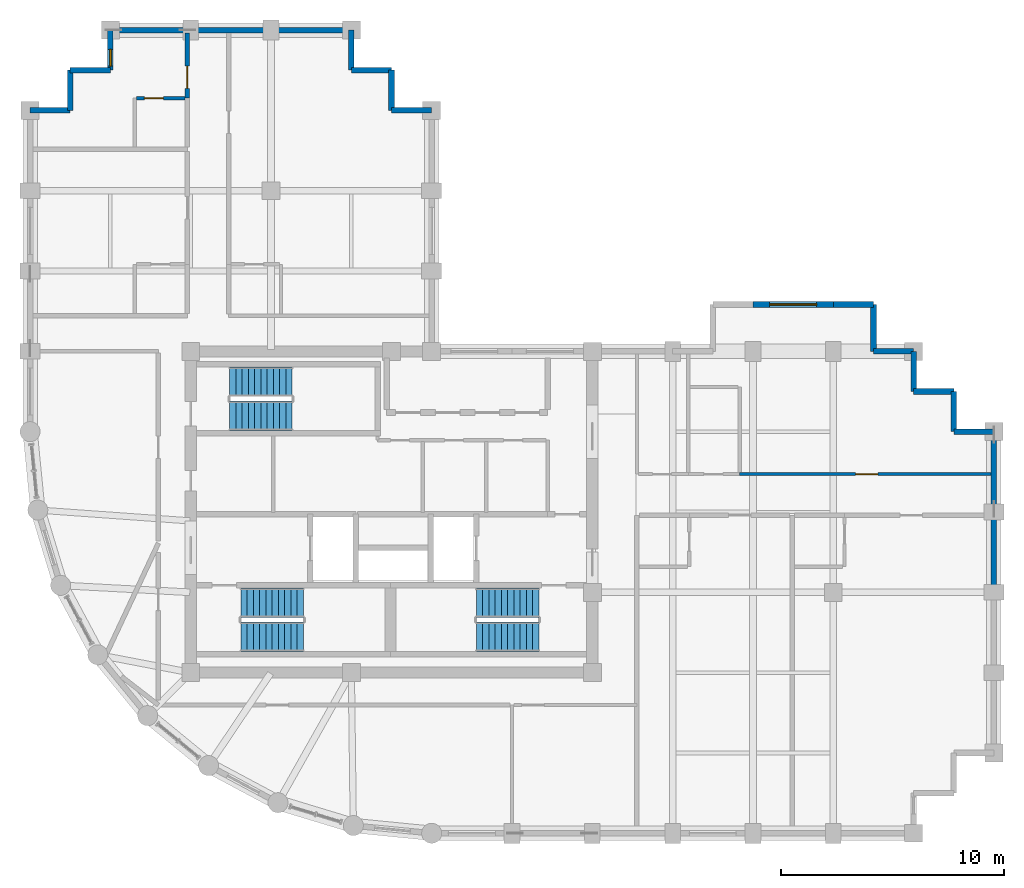
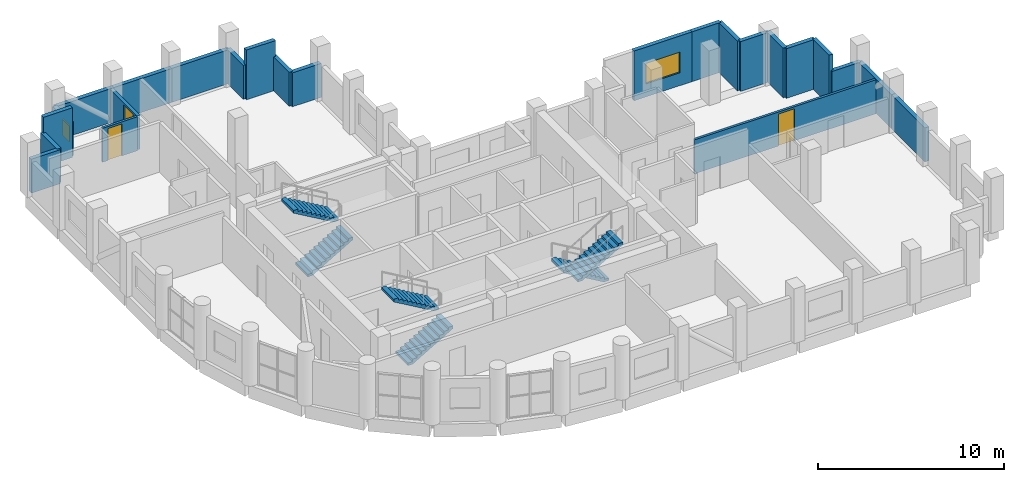
# One storey, part 10 of 11: 24 walls, 6 stair flights, 3 doors, 2 windows, 5 openings, 3 elements without a shape of their own.
"""IFC4 building model written with IfcOpenShell, lengths in metres."""

from ifc_helpers import new_model, si_unit, direction, frame, frame_2d, origin, place, context, subcontext, project, spatial, polyline, rectangle, outline, extrude, material, layer, layer_set, type_object, element, fill, aggregate, save


model = new_model("IFC4")

# Units and contexts
model_context = context("Model", 3, precision=1e-05, world=origin(), true_north=direction((0.0, 1.0)))
body_context = subcontext(model_context, "Body", "Model", "MODEL_VIEW")
ifc_project = project(units=[si_unit("LENGTHUNIT", "METRE"), si_unit("AREAUNIT", "SQUARE_METRE"), si_unit("VOLUMEUNIT", "CUBIC_METRE"), si_unit("PLANEANGLEUNIT", "RADIAN"), si_unit("MASSUNIT", "GRAM", prefix="KILO")], contexts=[model_context])

# Site, building, storey
site_placement = place(None, origin())
site = spatial("IfcSite", under=ifc_project, at=site_placement, CompositionType="ELEMENT")
building_placement = place(site_placement, origin())
building = spatial("IfcBuilding", under=site, at=building_placement, Name="Solnavia Interchange Tower", CompositionType="ELEMENT")
storey_placement = place(building_placement, frame((0.0, 0.0, 217.39990234375)))
storey = spatial("IfcBuildingStorey", under=building, at=storey_placement, Name="L54", CompositionType="ELEMENT", Elevation=217.39990234375)

# Wall, opening, door
ifc_material_1 = material(Name="Gypsum Acoustic Twin-Stud & Mineral Wool", Category="gypsum")
ifc_layer_1 = layer(ifc_material_1, 0.199951171875)
ifc_layer_set_1 = layer_set([ifc_layer_1], Name="Gypsum Acoustic Twin-Stud & Mineral Wool")
wall_type_1 = type_object("IfcWallType", Name="Wall-ApartmentParty-200", PredefinedType="PARTITIONING", material=ifc_layer_set_1)
wall_1_placement = place(storey_placement, frame((14.25, 36.550048828125, 0.0), z_axis=(0.0, 0.0, 1.0), x_axis=(0.0, 1.0, 0.0)))
wall_1 = element("IfcWall", 1, at=wall_1_placement, inside=storey, type_object=wall_type_1, Name="PTW-L54-33 Interior partition wall", PredefinedType="PARTITIONING", context=body_context, shape_type="SweptSolid", body=[
    extrude(rectangle(XDim=2.9208984375, YDim=0.199951171875, at=frame_2d((1.46044921875, 0.0))), origin(), (0.0, 0.0, 1.0), 2.22998046875),
])
opening_1_placement = place(wall_1_placement, frame((0.43798828125, 0.0, 0.0)))
opening_1 = element("IfcOpeningElement", 2, at=opening_1_placement, cuts=wall_1, Name="Opening DR-06", PredefinedType="OPENING", context=body_context, shape_type="SweptSolid", body=[
    extrude(rectangle(XDim=1.0, YDim=2.10009765625, at=frame_2d((0.5, 1.050048828125))), frame((0.0, 0.10986328125, 0.0), z_axis=(0.0, -1.0, 0.0), x_axis=(1.0, 0.0, 0.0)), (0.0, 0.0, 1.0), 0.219970703125),
])
ifc_material_2 = material(Name="Engineered Timber Acoustic Fire Door", Category="wood")
door_type_1 = type_object("IfcDoorType", Name="Door-FlatEntry-1000x2100", OperationType="SINGLE_SWING_LEFT", PredefinedType="DOOR", material=ifc_material_2)
door_1_placement = place(opening_1_placement, origin())
door_1 = element("IfcDoor", 3, at=door_1_placement, inside=storey, type_object=door_type_1, Name="DR-L54-14 Interior room door", OperationType="SINGLE_SWING_RIGHT", OverallHeight=2.10009765625, OverallWidth=1.0, PredefinedType="DOOR", context=body_context, shape_type="SweptSolid", body=[
    extrude(rectangle(XDim=1.0, YDim=2.10009765625, at=frame_2d((0.5, 1.050048828125))), frame((0.0, 0.02490234375, 0.0), z_axis=(0.0, -1.0, 0.0), x_axis=(1.0, 0.0, 0.0)), (0.0, 0.0, 1.0), 0.050048828125),
])
fill(opening_1, door_1)

# Walls
ifc_material_3 = material(Name="Concrete C40/50", Category="concrete")
ifc_layer_2 = layer(ifc_material_3, 0.25)
ifc_layer_set_2 = layer_set([ifc_layer_2], Name="Concrete C40/50")
wall_type_2 = type_object("IfcWallType", Name="Wall-ExtSpandrel-250", PredefinedType="STANDARD", material=ifc_layer_set_2)
for number, where, z_axis, x_axis, name in (
    (4, (50.39990234375, 18.0, 0.0), (0.0, 0.0, 1.0), (0.0, -1.0, 0.0), "EXW-L54-13 Exterior precast spandrel wall"),
    (5, (50.39990234375, 21.60009765625, 0.0), (0.0, 0.0, 1.0), (0.0, -1.0, 0.0), "EXW-L54-14 Exterior precast spandrel wall"),
):
    element("IfcWall", number, at=place(storey_placement, frame(where, z_axis=z_axis, x_axis=x_axis)), inside=storey, type_object=wall_type_2, Name=name, PredefinedType="STANDARD", context=body_context, shape_type="SweptSolid", body=[
        extrude(rectangle(XDim=3.60009765625, YDim=0.25, at=frame_2d((1.800048828125, 0.0))), origin(), (0.0, 0.0, 1.0), 2.22998046875),
    ])
wall_2_placement = place(storey_placement, frame((48.60009765625, 21.60009765625, 0.0), z_axis=(0.0, 0.0, 1.0), x_axis=(1.0, 0.0, 0.0)))
element("IfcWall", 6, at=wall_2_placement, inside=storey, type_object=wall_type_2, Name="EXW-L54-15 Exterior precast spandrel wall", PredefinedType="STANDARD", context=body_context, shape_type="SweptSolid", body=[
    extrude(rectangle(XDim=1.7998046875, YDim=0.25, at=frame_2d((0.89990234375, 0.0))), origin(), (0.0, 0.0, 1.0), 2.22998046875),
])
wall_3_placement = place(storey_placement, frame((48.60009765625, 23.39990234375, 0.0), z_axis=(0.0, 0.0, 1.0), x_axis=(0.0, -1.0, 0.0)))
element("IfcWall", 7, at=wall_3_placement, inside=storey, type_object=wall_type_2, Name="EXW-L54-16 Exterior precast spandrel wall", PredefinedType="STANDARD", context=body_context, shape_type="SweptSolid", body=[
    extrude(rectangle(XDim=1.7998046875, YDim=0.25, at=frame_2d((0.89990234375, 0.0))), origin(), (0.0, 0.0, 1.0), 3.26513671875),
])
for number, where, z_axis, x_axis, name in (
    (8, (46.800048828125, 23.39990234375, 0.0), (0.0, 0.0, 1.0), (1.0, 0.0, 0.0), "EXW-L54-17 Exterior precast spandrel wall"),
    (9, (46.800048828125, 25.199951171875, 0.0), (0.0, 0.0, 1.0), (0.0, -1.0, 0.0), "EXW-L54-18 Exterior precast spandrel wall"),
    (10, (45.0, 25.199951171875, 0.0), (0.0, 0.0, 1.0), (1.0, 0.0, 0.0), "EXW-L54-19 Exterior precast spandrel wall"),
):
    element("IfcWall", number, at=place(storey_placement, frame(where, z_axis=z_axis, x_axis=x_axis)), inside=storey, type_object=wall_type_2, Name=name, PredefinedType="STANDARD", context=body_context, shape_type="SweptSolid", body=[
        extrude(rectangle(XDim=1.800048828125, YDim=0.25, at=frame_2d((0.89990234375, 0.0))), origin(), (0.0, 0.0, 1.0), 3.26513671875),
    ])
wall_4_placement = place(storey_placement, frame((45.0, 27.300048828125, 0.0), z_axis=(0.0, 0.0, 1.0), x_axis=(0.0, -1.0, 0.0)))
element("IfcWall", 11, at=wall_4_placement, inside=storey, type_object=wall_type_2, Name="EXW-L54-20 Exterior precast spandrel wall", PredefinedType="STANDARD", context=body_context, shape_type="SweptSolid", body=[
    extrude(rectangle(XDim=2.10009765625, YDim=0.25, at=frame_2d((1.050048828125, 0.0))), origin(), (0.0, 0.0, 1.0), 3.26513671875),
])
wall_5_placement = place(storey_placement, frame((43.199951171875, 27.300048828125, 0.0), z_axis=(0.0, 0.0, 1.0), x_axis=(1.0, 0.0, 0.0)))
element("IfcWall", 12, at=wall_5_placement, inside=storey, type_object=wall_type_2, Name="EXW-L54-21 Exterior precast spandrel wall", PredefinedType="STANDARD", context=body_context, shape_type="SweptSolid", body=[
    extrude(rectangle(XDim=1.800048828125, YDim=0.25, at=frame_2d((0.89990234375, 0.0))), origin(), (0.0, 0.0, 1.0), 3.26513671875),
])

# Wall, opening, window
wall_6_placement = place(storey_placement, frame((39.60009765625, 27.300048828125, 0.0), z_axis=(0.0, 0.0, 1.0), x_axis=(1.0, 0.0, 0.0)))
wall_6 = element("IfcWall", 13, at=wall_6_placement, inside=storey, type_object=wall_type_2, Name="EXW-L54-22 Exterior precast spandrel wall", PredefinedType="STANDARD", context=body_context, shape_type="SweptSolid", body=[
    extrude(rectangle(XDim=3.599853515625, YDim=0.25, at=frame_2d((1.7998046875, 0.0))), origin(), (0.0, 0.0, 1.0), 3.26513671875),
])
opening_2_placement = place(wall_6_placement, frame((0.75, 0.0, 0.85009765625)))
opening_2 = element("IfcOpeningElement", 14, at=opening_2_placement, cuts=wall_6, Name="Opening WIN-01", PredefinedType="OPENING", context=body_context, shape_type="SweptSolid", body=[
    extrude(rectangle(XDim=2.10009765625, YDim=1.35009765625, at=frame_2d((1.050048828125, 0.675048828125))), frame((0.0, 0.135009765625, 0.0), z_axis=(0.0, -1.0, 0.0), x_axis=(1.0, 0.0, 0.0)), (0.0, 0.0, 1.0), 0.27001953125),
])
ifc_material_4 = material(Name="Thermal-Break Aluminium & Low-E Glass", Category="aluminium")
window_type_1 = type_object("IfcWindowType", Name="Window-Ribbon-2100x1350", PartitioningType="SINGLE_PANEL", PredefinedType="WINDOW", material=ifc_material_4)
window_1_placement = place(opening_2_placement, origin())
window_1 = element("IfcWindow", 15, at=window_1_placement, inside=storey, type_object=window_type_1, Name="WIN-L54-22 Facade ribbon window", OverallHeight=1.35009765625, OverallWidth=2.10009765625, PartitioningType="SINGLE_PANEL", PredefinedType="WINDOW", context=body_context, shape_type="SweptSolid", body=[
    extrude(rectangle(XDim=2.10009765625, YDim=1.35009765625, at=frame_2d((1.050048828125, 0.675048828125))), frame((0.0, 0.030029296875, 0.0), z_axis=(0.0, -1.0, 0.0), x_axis=(1.0, 0.0, 0.0)), (0.0, 0.0, 1.0), 0.06005859375),
])
fill(opening_2, window_1)

# Walls
for number, where, z_axis, x_axis, name in (
    (16, (23.39990234375, 36.0, 0.0), (0.0, 0.0, 1.0), (1.0, 0.0, 0.0), "EXW-L54-32 Exterior precast spandrel wall"),
    (17, (23.39990234375, 36.0, 0.0), (0.0, 0.0, 1.0), (0.0, 1.0, 0.0), "EXW-L54-33 Exterior precast spandrel wall"),
):
    element("IfcWall", number, at=place(storey_placement, frame(where, z_axis=z_axis, x_axis=x_axis)), inside=storey, type_object=wall_type_2, Name=name, PredefinedType="STANDARD", context=body_context, shape_type="SweptSolid", body=[
        extrude(rectangle(XDim=1.800048828125, YDim=0.25, at=frame_2d((0.89990234375, 0.0))), origin(), (0.0, 0.0, 1.0), 2.22998046875),
    ])
wall_7_placement = place(storey_placement, frame((21.60009765625, 37.800048828125, 0.0), z_axis=(0.0, 0.0, 1.0), x_axis=(1.0, 0.0, 0.0)))
element("IfcWall", 18, at=wall_7_placement, inside=storey, type_object=wall_type_2, Name="EXW-L54-34 Exterior precast spandrel wall", PredefinedType="STANDARD", context=body_context, shape_type="SweptSolid", body=[
    extrude(rectangle(XDim=1.7998046875, YDim=0.25, at=frame_2d((0.89990234375, 0.0))), origin(), (0.0, 0.0, 1.0), 3.26513671875),
])
wall_8_placement = place(storey_placement, frame((21.60009765625, 37.800048828125, 0.0), z_axis=(0.0, 0.0, 1.0), x_axis=(0.0, 1.0, 0.0)))
element("IfcWall", 19, at=wall_8_placement, inside=storey, type_object=wall_type_2, Name="EXW-L54-35 Exterior precast spandrel wall", PredefinedType="STANDARD", context=body_context, shape_type="SweptSolid", body=[
    extrude(rectangle(XDim=1.800048828125, YDim=0.25, at=frame_2d((0.89990234375, 0.0))), origin(), (0.0, 0.0, 1.0), 2.22998046875),
])
for number, where, z_axis, x_axis, name in (
    (20, (18.0, 39.60009765625, 0.0), (0.0, 0.0, 1.0), (1.0, 0.0, 0.0), "EXW-L54-36 Exterior precast spandrel wall"),
    (21, (14.39990234375, 39.60009765625, 0.0), (0.0, 0.0, 1.0), (1.0, 0.0, 0.0), "EXW-L54-37 Exterior precast spandrel wall"),
):
    element("IfcWall", number, at=place(storey_placement, frame(where, z_axis=z_axis, x_axis=x_axis)), inside=storey, type_object=wall_type_2, Name=name, PredefinedType="STANDARD", context=body_context, shape_type="SweptSolid", body=[
        extrude(rectangle(XDim=3.60009765625, YDim=0.25, at=frame_2d((1.800048828125, 0.0))), origin(), (0.0, 0.0, 1.0), 2.22998046875),
    ])
wall_9_placement = place(storey_placement, frame((10.800048828125, 39.60009765625, 0.0), z_axis=(0.0, 0.0, 1.0), x_axis=(1.0, 0.0, 0.0)))
element("IfcWall", 22, at=wall_9_placement, inside=storey, type_object=wall_type_2, Name="EXW-L54-38 Exterior precast spandrel wall", PredefinedType="STANDARD", context=body_context, shape_type="SweptSolid", body=[
    extrude(rectangle(XDim=3.599853515625, YDim=0.25, at=frame_2d((1.7998046875, 0.0))), origin(), (0.0, 0.0, 1.0), 2.22998046875),
])

# Wall, opening, window
wall_10_placement = place(storey_placement, frame((10.800048828125, 37.800048828125, 0.0), z_axis=(0.0, 0.0, 1.0), x_axis=(0.0, 1.0, 0.0)))
wall_10 = element("IfcWall", 23, at=wall_10_placement, inside=storey, type_object=wall_type_2, Name="EXW-L54-39 Exterior precast spandrel wall", PredefinedType="STANDARD", context=body_context, shape_type="SweptSolid", body=[
    extrude(rectangle(XDim=1.800048828125, YDim=0.25, at=frame_2d((0.89990234375, 0.0))), origin(), (0.0, 0.0, 1.0), 2.22998046875),
])
opening_3_placement = place(wall_10_placement, frame((0.179931640625, 0.0, 0.85009765625)))
opening_3 = element("IfcOpeningElement", 24, at=opening_3_placement, cuts=wall_10, Name="Opening WIN-08", PredefinedType="OPENING", context=body_context, shape_type="SweptSolid", body=[
    extrude(rectangle(XDim=0.75, YDim=1.050048828125, at=frame_2d((0.375, 0.52490234375))), frame((0.0, 0.135009765625, 0.0), z_axis=(0.0, -1.0, 0.0), x_axis=(1.0, 0.0, 0.0)), (0.0, 0.0, 1.0), 0.27001953125),
])
window_type_2 = type_object("IfcWindowType", Name="Window-Bedroom-750x1050", PartitioningType="SINGLE_PANEL", PredefinedType="WINDOW", material=ifc_material_4)
window_2_placement = place(opening_3_placement, origin())
window_2 = element("IfcWindow", 25, at=window_2_placement, inside=storey, type_object=window_type_2, Name="WIN-L54-DW02 Dwelling bedroom window", OverallHeight=1.050048828125, OverallWidth=0.75, PartitioningType="SINGLE_PANEL", PredefinedType="WINDOW", context=body_context, shape_type="SweptSolid", body=[
    extrude(rectangle(XDim=0.75, YDim=1.050048828125, at=frame_2d((0.375, 0.52490234375))), frame((0.0, 0.030029296875, 0.0), z_axis=(0.0, -1.0, 0.0), x_axis=(1.0, 0.0, 0.0)), (0.0, 0.0, 1.0), 0.06005859375),
])
fill(opening_3, window_2)

# Walls
wall_11_placement = place(storey_placement, frame((9.0, 37.800048828125, 0.0), z_axis=(0.0, 0.0, 1.0), x_axis=(1.0, 0.0, 0.0)))
element("IfcWall", 26, at=wall_11_placement, inside=storey, type_object=wall_type_2, Name="EXW-L54-40 Exterior precast spandrel wall", PredefinedType="STANDARD", context=body_context, shape_type="SweptSolid", body=[
    extrude(rectangle(XDim=1.800048828125, YDim=0.25, at=frame_2d((0.89990234375, 0.0))), origin(), (0.0, 0.0, 1.0), 3.26513671875),
])
for number, where, z_axis, x_axis, name in (
    (27, (9.0, 36.0, 0.0), (0.0, 0.0, 1.0), (0.0, 1.0, 0.0), "EXW-L54-41 Exterior precast spandrel wall"),
    (28, (7.199951171875, 36.0, 0.0), (0.0, 0.0, 1.0), (1.0, 0.0, 0.0), "EXW-L54-42 Exterior precast spandrel wall"),
):
    element("IfcWall", number, at=place(storey_placement, frame(where, z_axis=z_axis, x_axis=x_axis)), inside=storey, type_object=wall_type_2, Name=name, PredefinedType="STANDARD", context=body_context, shape_type="SweptSolid", body=[
        extrude(rectangle(XDim=1.800048828125, YDim=0.25, at=frame_2d((0.89990234375, 0.0))), origin(), (0.0, 0.0, 1.0), 2.22998046875),
    ])

# Wall, opening, door
ifc_material_5 = material(Name="Gypsum Plasterboard & Steel Stud", Category="steel")
ifc_layer_3 = layer(ifc_material_5, 0.14990234375)
ifc_layer_set_3 = layer_set([ifc_layer_3], Name="Gypsum Plasterboard & Steel Stud")
wall_type_3 = type_object("IfcWallType", Name="Wall-Partition-150", PredefinedType="PARTITIONING", material=ifc_layer_set_3)
wall_12_placement = place(storey_placement, frame((39.0, 19.699951171875, 0.0), z_axis=(0.0, 0.0, 1.0), x_axis=(1.0, 0.0, 0.0)))
wall_12 = element("IfcWall", 29, at=wall_12_placement, inside=storey, type_object=wall_type_3, Name="PTW-L54-25 Interior partition wall", PredefinedType="PARTITIONING", context=body_context, shape_type="SweptSolid", body=[
    extrude(rectangle(XDim=11.27099609375, YDim=0.14990234375, at=frame_2d((5.635498046875, 0.0))), origin(), (0.0, 0.0, 1.0), 2.22998046875),
])
opening_4_placement = place(wall_12_placement, frame((5.199951171875, 0.0, 0.0)))
opening_4 = element("IfcOpeningElement", 30, at=opening_4_placement, cuts=wall_12, Name="Opening DR-07", PredefinedType="OPENING", context=body_context, shape_type="SweptSolid", body=[
    extrude(rectangle(XDim=1.0, YDim=2.10009765625, at=frame_2d((0.5, 1.050048828125))), frame((0.0, 0.0849609375, 0.0), z_axis=(0.0, -1.0, 0.0), x_axis=(1.0, 0.0, 0.0)), (0.0, 0.0, 1.0), 0.169921875),
])
ifc_material_6 = material(Name="Timber & Acoustic Glazed Office Door", Category="wood")
door_type_2 = type_object("IfcDoorType", Name="Door-Office-1000x2100", OperationType="SINGLE_SWING_RIGHT", PredefinedType="DOOR", material=ifc_material_6)
door_2_placement = place(opening_4_placement, origin())
door_2 = element("IfcDoor", 31, at=door_2_placement, inside=storey, type_object=door_type_2, Name="DR-L54-11 Interior room door", OperationType="SINGLE_SWING_RIGHT", OverallHeight=2.10009765625, OverallWidth=1.0, PredefinedType="DOOR", context=body_context, shape_type="SweptSolid", body=[
    extrude(rectangle(XDim=1.0, YDim=2.10009765625, at=frame_2d((0.5, 1.050048828125))), frame((0.0, 0.02490234375, 0.0), z_axis=(0.0, -1.0, 0.0), x_axis=(1.0, 0.0, 0.0)), (0.0, 0.0, 1.0), 0.050048828125),
])
fill(opening_4, door_2)

ifc_material_7 = material(Name="Moisture-Resistant Gypsum & Steel Stud", Category="steel")
ifc_layer_4 = layer(ifc_material_7, 0.14990234375)
ifc_layer_set_4 = layer_set([ifc_layer_4], Name="Moisture-Resistant Gypsum & Steel Stud")
wall_type_4 = type_object("IfcWallType", Name="Wall-WetRoom-150", PredefinedType="PARTITIONING", material=ifc_layer_set_4)
wall_13_placement = place(storey_placement, frame((11.97900390625, 36.550048828125, 0.0), z_axis=(0.0, 0.0, 1.0), x_axis=(1.0, 0.0, 0.0)))
wall_13 = element("IfcWall", 32, at=wall_13_placement, inside=storey, type_object=wall_type_4, Name="PTW-L54-35 Interior partition wall", PredefinedType="PARTITIONING", context=body_context, shape_type="SweptSolid", body=[
    extrude(rectangle(XDim=2.1669921875, YDim=0.14990234375, at=frame_2d((1.08349609375, 0.0))), origin(), (0.0, 0.0, 1.0), 2.22998046875),
])
opening_5_placement = place(wall_13_placement, frame((0.341064453125, 0.0, 0.0)))
opening_5 = element("IfcOpeningElement", 33, at=opening_5_placement, cuts=wall_13, Name="Opening DR-10", PredefinedType="OPENING", context=body_context, shape_type="SweptSolid", body=[
    extrude(rectangle(XDim=0.85009765625, YDim=2.10009765625, at=frame_2d((0.425048828125, 1.050048828125))), frame((0.0, 0.0849609375, 0.0), z_axis=(0.0, -1.0, 0.0), x_axis=(1.0, 0.0, 0.0)), (0.0, 0.0, 1.0), 0.169921875),
])
ifc_material_8 = material(Name="Moisture-Resistant Timber Door", Category="wood")
door_type_3 = type_object("IfcDoorType", Name="Door-Bathroom-850x2100", OperationType="SINGLE_SWING_RIGHT", PredefinedType="DOOR", material=ifc_material_8)
door_3_placement = place(opening_5_placement, origin())
door_3 = element("IfcDoor", 34, at=door_3_placement, inside=storey, type_object=door_type_3, Name="DR-L54-15 Interior room door", OperationType="SINGLE_SWING_RIGHT", OverallHeight=2.10009765625, OverallWidth=0.85009765625, PredefinedType="DOOR", context=body_context, shape_type="SweptSolid", body=[
    extrude(rectangle(XDim=0.85009765625, YDim=2.10009765625, at=frame_2d((0.425048828125, 1.050048828125))), frame((0.0, 0.02490234375, 0.0), z_axis=(0.0, -1.0, 0.0), x_axis=(1.0, 0.0, 0.0)), (0.0, 0.0, 1.0), 0.050048828125),
])
fill(opening_5, door_3)

# Stair, stair flights
stair_type = type_object("IfcStairType", Name="Stair-Dogleg-RC", PredefinedType="HALF_TURN_STAIR", material=ifc_material_3)
stair_1_placement = place(storey_placement, origin())
stair_1 = element("IfcStair", 35, at=stair_1_placement, inside=storey, type_object=stair_type, Name="L54 Core exit stair 1", PredefinedType="HALF_TURN_STAIR")
stair_flight_type = type_object("IfcStairFlightType", Name="StairFlight-RC-150", PredefinedType="STRAIGHT", material=ifc_material_3)
stair_flight_1_placement = place(storey_placement, frame((16.64990234375, 12.409912109375, 0.0), z_axis=(0.0, 0.0, 1.0), x_axis=(1.0, 0.0, 0.0)))
stair_flight_1 = element("IfcStairFlight", 36, at=stair_flight_1_placement, type_object=stair_flight_type, Name="ST-1 flight 1", NumberOfRisers=11, NumberOfTreads=10, PredefinedType="STRAIGHT", RiserHeight=0.163636364, TreadLength=0.28, context=body_context, shape_type="SweptSolid", body=[
    extrude(outline(polyline([(0.0, 0.0), (0.0, 0.16357421875), (0.280029296875, 0.16357421875), (0.280029296875, 0.327392578125), (0.56005859375, 0.327392578125), (0.56005859375, 0.490966796875), (0.840087890625, 0.490966796875), (0.840087890625, 0.654541015625), (1.1201171875, 0.654541015625), (1.1201171875, 0.818115234375), (1.39990234375, 0.818115234375), (1.39990234375, 0.98193359375), (1.679931640625, 0.98193359375), (1.679931640625, 1.1455078125), (1.9599609375, 1.1455078125), (1.9599609375, 1.30908203125), (2.239990234375, 1.30908203125), (2.239990234375, 1.47265625), (2.52001953125, 1.47265625), (2.52001953125, 1.636474609375), (2.800048828125, 1.636474609375), (2.800048828125, 1.800048828125), (2.800048828125, 1.462646484375), (0.297119140625, 0.0), (0.0, 0.0)])), frame((0.0, 0.66015625, 0.0), z_axis=(0.0, -1.0, 0.0), x_axis=(1.0, 0.0, 0.0)), (0.0, 0.0, 1.0), 1.320068359375),
])
stair_flight_2_placement = place(storey_placement, frame((19.449951171875, 13.929931640625, 1.800048828125), z_axis=(0.0, 0.0, 1.0), x_axis=(-1.0, 0.0, 0.0)))
stair_flight_2 = element("IfcStairFlight", 37, at=stair_flight_2_placement, type_object=stair_flight_type, Name="ST-1 flight 2", NumberOfRisers=11, NumberOfTreads=10, PredefinedType="STRAIGHT", RiserHeight=0.163636364, TreadLength=0.28, context=body_context, shape_type="SweptSolid", body=[
    extrude(outline(polyline([(0.0, 0.0), (0.0, 0.16357421875), (0.280029296875, 0.16357421875), (0.280029296875, 0.327392578125), (0.56005859375, 0.327392578125), (0.56005859375, 0.490966796875), (0.840087890625, 0.490966796875), (0.840087890625, 0.654541015625), (1.1201171875, 0.654541015625), (1.1201171875, 0.818115234375), (1.39990234375, 0.818115234375), (1.39990234375, 0.98193359375), (1.679931640625, 0.98193359375), (1.679931640625, 1.1455078125), (1.9599609375, 1.1455078125), (1.9599609375, 1.30908203125), (2.239990234375, 1.30908203125), (2.239990234375, 1.47265625), (2.52001953125, 1.47265625), (2.52001953125, 1.636474609375), (2.800048828125, 1.636474609375), (2.800048828125, 1.800048828125), (2.800048828125, 1.462646484375), (0.297119140625, 0.0), (0.0, 0.0)])), frame((0.0, 0.66015625, 0.0), z_axis=(0.0, -1.0, 0.0), x_axis=(1.0, 0.0, 0.0)), (0.0, 0.0, 1.0), 1.320068359375),
])
aggregate(stair_1, [stair_flight_1, stair_flight_2])

stair_2_placement = place(storey_placement, origin())
stair_2 = element("IfcStair", 38, at=stair_2_placement, inside=storey, type_object=stair_type, Name="L54 Core exit stair 2", PredefinedType="HALF_TURN_STAIR")
stair_flight_3_placement = place(storey_placement, frame((30.0, 13.929931640625, 0.0), z_axis=(0.0, 0.0, 1.0), x_axis=(-1.0, 0.0, 0.0)))
stair_flight_3 = element("IfcStairFlight", 39, at=stair_flight_3_placement, type_object=stair_flight_type, Name="ST-2 flight 1", NumberOfRisers=11, NumberOfTreads=10, PredefinedType="STRAIGHT", RiserHeight=0.163636364, TreadLength=0.28, context=body_context, shape_type="SweptSolid", body=[
    extrude(outline(polyline([(0.0, 0.0), (0.0, 0.16357421875), (0.280029296875, 0.16357421875), (0.280029296875, 0.327392578125), (0.56005859375, 0.327392578125), (0.56005859375, 0.490966796875), (0.840087890625, 0.490966796875), (0.840087890625, 0.654541015625), (1.1201171875, 0.654541015625), (1.1201171875, 0.818115234375), (1.39990234375, 0.818115234375), (1.39990234375, 0.98193359375), (1.679931640625, 0.98193359375), (1.679931640625, 1.1455078125), (1.9599609375, 1.1455078125), (1.9599609375, 1.30908203125), (2.239990234375, 1.30908203125), (2.239990234375, 1.47265625), (2.52001953125, 1.47265625), (2.52001953125, 1.636474609375), (2.800048828125, 1.636474609375), (2.800048828125, 1.800048828125), (2.800048828125, 1.462646484375), (0.297119140625, 0.0), (0.0, 0.0)])), frame((0.0, 0.66015625, 0.0), z_axis=(0.0, -1.0, 0.0), x_axis=(1.0, 0.0, 0.0)), (0.0, 0.0, 1.0), 1.320068359375),
])
stair_flight_4_placement = place(storey_placement, frame((27.199951171875, 12.409912109375, 1.800048828125), z_axis=(0.0, 0.0, 1.0), x_axis=(1.0, 0.0, 0.0)))
stair_flight_4 = element("IfcStairFlight", 40, at=stair_flight_4_placement, type_object=stair_flight_type, Name="ST-2 flight 2", NumberOfRisers=11, NumberOfTreads=10, PredefinedType="STRAIGHT", RiserHeight=0.163636364, TreadLength=0.28, context=body_context, shape_type="SweptSolid", body=[
    extrude(outline(polyline([(0.0, 0.0), (0.0, 0.16357421875), (0.280029296875, 0.16357421875), (0.280029296875, 0.327392578125), (0.56005859375, 0.327392578125), (0.56005859375, 0.490966796875), (0.840087890625, 0.490966796875), (0.840087890625, 0.654541015625), (1.1201171875, 0.654541015625), (1.1201171875, 0.818115234375), (1.39990234375, 0.818115234375), (1.39990234375, 0.98193359375), (1.679931640625, 0.98193359375), (1.679931640625, 1.1455078125), (1.9599609375, 1.1455078125), (1.9599609375, 1.30908203125), (2.239990234375, 1.30908203125), (2.239990234375, 1.47265625), (2.52001953125, 1.47265625), (2.52001953125, 1.636474609375), (2.800048828125, 1.636474609375), (2.800048828125, 1.800048828125), (2.800048828125, 1.462646484375), (0.297119140625, 0.0), (0.0, 0.0)])), frame((0.0, 0.66015625, 0.0), z_axis=(0.0, -1.0, 0.0), x_axis=(1.0, 0.0, 0.0)), (0.0, 0.0, 1.0), 1.320068359375),
])
aggregate(stair_2, [stair_flight_3, stair_flight_4])

stair_3_placement = place(storey_placement, origin())
stair_3 = element("IfcStair", 41, at=stair_3_placement, inside=storey, type_object=stair_type, Name="L54 Core exit stair 3", PredefinedType="HALF_TURN_STAIR")
stair_flight_5_placement = place(storey_placement, frame((16.14990234375, 22.31005859375, 0.0), z_axis=(0.0, 0.0, 1.0), x_axis=(1.0, 0.0, 0.0)))
stair_flight_5 = element("IfcStairFlight", 42, at=stair_flight_5_placement, type_object=stair_flight_type, Name="ST-3 flight 1", NumberOfRisers=11, NumberOfTreads=10, PredefinedType="STRAIGHT", RiserHeight=0.163636364, TreadLength=0.28, context=body_context, shape_type="SweptSolid", body=[
    extrude(outline(polyline([(0.0, 0.0), (0.0, 0.16357421875), (0.280029296875, 0.16357421875), (0.280029296875, 0.327392578125), (0.56005859375, 0.327392578125), (0.56005859375, 0.490966796875), (0.840087890625, 0.490966796875), (0.840087890625, 0.654541015625), (1.1201171875, 0.654541015625), (1.1201171875, 0.818115234375), (1.39990234375, 0.818115234375), (1.39990234375, 0.98193359375), (1.679931640625, 0.98193359375), (1.679931640625, 1.1455078125), (1.9599609375, 1.1455078125), (1.9599609375, 1.30908203125), (2.239990234375, 1.30908203125), (2.239990234375, 1.47265625), (2.52001953125, 1.47265625), (2.52001953125, 1.636474609375), (2.800048828125, 1.636474609375), (2.800048828125, 1.800048828125), (2.800048828125, 1.462646484375), (0.297119140625, 0.0), (0.0, 0.0)])), frame((0.0, 0.66015625, 0.0), z_axis=(0.0, -1.0, 0.0), x_axis=(1.0, 0.0, 0.0)), (0.0, 0.0, 1.0), 1.320068359375),
])
stair_flight_6_placement = place(storey_placement, frame((18.949951171875, 23.830078125, 1.800048828125), z_axis=(0.0, 0.0, 1.0), x_axis=(-1.0, 0.0, 0.0)))
stair_flight_6 = element("IfcStairFlight", 43, at=stair_flight_6_placement, type_object=stair_flight_type, Name="ST-3 flight 2", NumberOfRisers=11, NumberOfTreads=10, PredefinedType="STRAIGHT", RiserHeight=0.163636364, TreadLength=0.28, context=body_context, shape_type="SweptSolid", body=[
    extrude(outline(polyline([(0.0, 0.0), (0.0, 0.16357421875), (0.280029296875, 0.16357421875), (0.280029296875, 0.327392578125), (0.56005859375, 0.327392578125), (0.56005859375, 0.490966796875), (0.840087890625, 0.490966796875), (0.840087890625, 0.654541015625), (1.1201171875, 0.654541015625), (1.1201171875, 0.818115234375), (1.39990234375, 0.818115234375), (1.39990234375, 0.98193359375), (1.679931640625, 0.98193359375), (1.679931640625, 1.1455078125), (1.9599609375, 1.1455078125), (1.9599609375, 1.30908203125), (2.239990234375, 1.30908203125), (2.239990234375, 1.47265625), (2.52001953125, 1.47265625), (2.52001953125, 1.636474609375), (2.800048828125, 1.636474609375), (2.800048828125, 1.800048828125), (2.800048828125, 1.462646484375), (0.297119140625, 0.0), (0.0, 0.0)])), frame((0.0, 0.66015625, 0.0), z_axis=(0.0, -1.0, 0.0), x_axis=(1.0, 0.0, 0.0)), (0.0, 0.0, 1.0), 1.320068359375),
])
aggregate(stair_3, [stair_flight_5, stair_flight_6])

save(model, "model.ifc")
